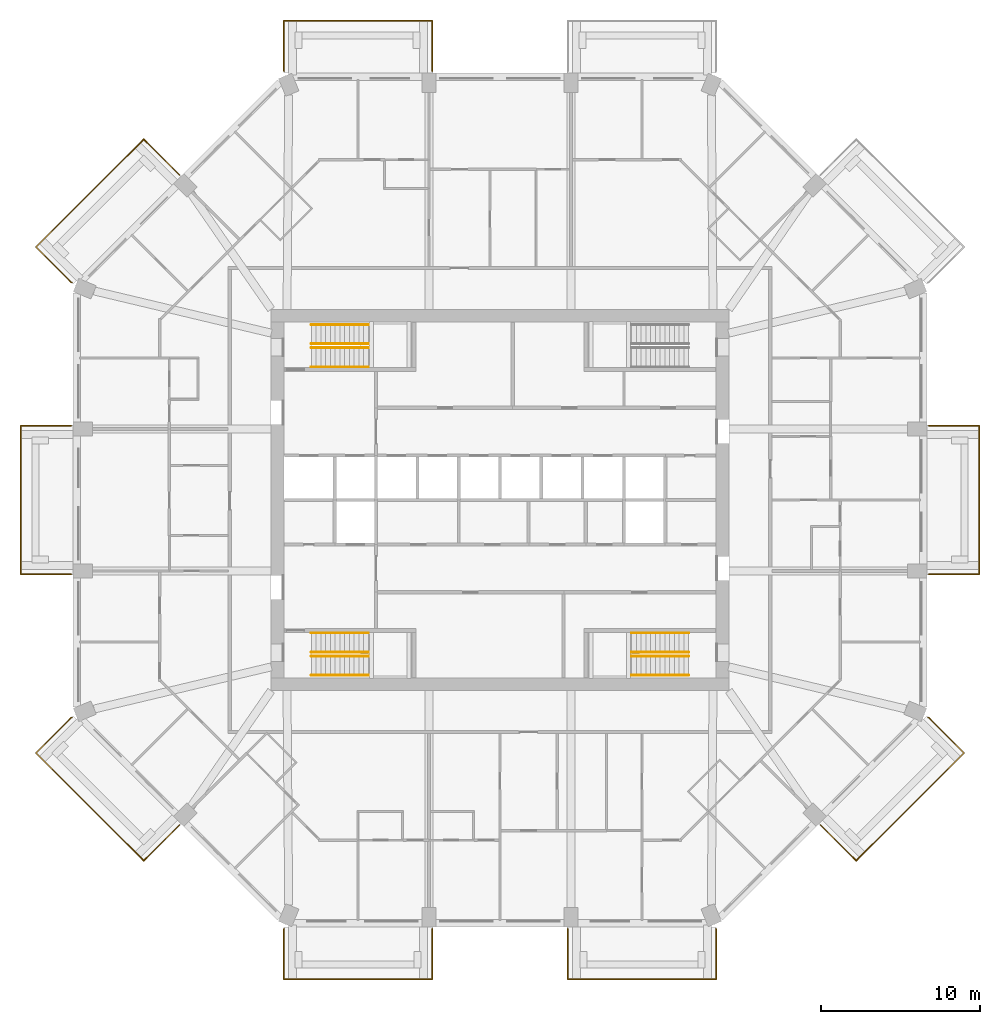
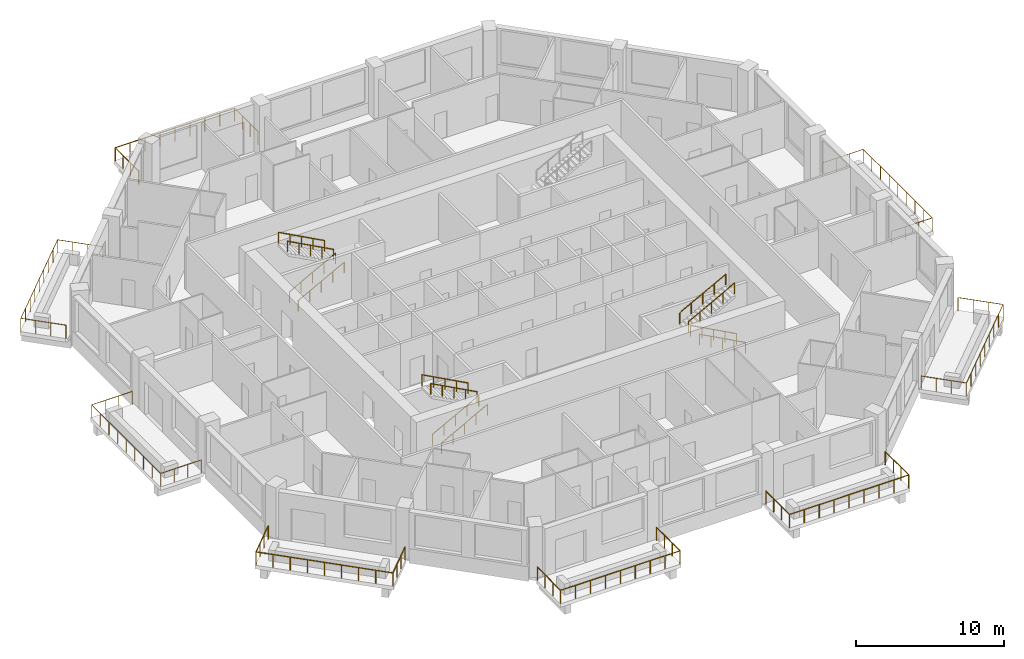
# One storey, part 12 of 13: 20 railings.
"""IFC4 building model written with IfcOpenShell, lengths in metres."""

from ifc_helpers import new_model, si_unit, direction, frame, origin, origin_2d, place, context, subcontext, project, spatial, circle, extrude, material, constituent, constituent_set, type_object, element, save


model = new_model("IFC4")

# Units and contexts
model_context = context("Model", 3, precision=1e-05, world=origin(), true_north=direction((0.0, 1.0)))
body_context = subcontext(model_context, "Body", "Model", "MODEL_VIEW")
ifc_project = project(units=[si_unit("LENGTHUNIT", "METRE"), si_unit("AREAUNIT", "SQUARE_METRE"), si_unit("VOLUMEUNIT", "CUBIC_METRE"), si_unit("PLANEANGLEUNIT", "RADIAN"), si_unit("MASSUNIT", "GRAM", prefix="KILO")], contexts=[model_context])

# Site, building, storey
site_placement = place(None, origin())
site = spatial("IfcSite", under=ifc_project, at=site_placement, CompositionType="ELEMENT")
building_placement = place(site_placement, origin())
building = spatial("IfcBuilding", under=site, at=building_placement, Name="Msitu Wima Residences", CompositionType="ELEMENT")
storey_placement = place(building_placement, frame((0.0, 0.0, 148.5)))
storey = spatial("IfcBuildingStorey", under=building, at=storey_placement, Name="L34", CompositionType="ELEMENT", Elevation=148.5)

# Railings
ifc_material_1 = material(Name="Steel S355", Category="steel")
ifc_constituent_1 = constituent(ifc_material_1, Name="Steel S355")
ifc_material_2 = material(Name="Weathering patina")
ifc_constituent_2 = constituent(ifc_material_2, Name="Weathering patina")
ifc_constituent_set_1 = constituent_set(constituents=[ifc_constituent_1, ifc_constituent_2], Name="Steel S355")
railing_type_1 = type_object("IfcRailingType", Name="Balcony guard GR1100", PredefinedType="GUARDRAIL", material=ifc_constituent_set_1)
railing_1_placement = place(storey_placement, frame((26.97998046875, 4.668701171875, 0.0)))
element("IfcRailing", 1, at=railing_1_placement, inside=storey, type_object=railing_type_1, Name="Balcony guard E1 L34", PredefinedType="GUARDRAIL", context=body_context, shape_type="SweptSolid", body=[
    extrude(circle(Radius=0.02392578125, at=origin_2d()), frame((0.0, 0.0, 1.076171875), z_axis=(1.0, 0.0, 0.0), x_axis=(0.0, 1.0, 0.0)), (0.0, 0.0, 1.0), 3.169921875),
    extrude(circle(Radius=0.02392578125, at=origin_2d()), frame((3.169921875, 0.0, 1.076171875), z_axis=(0.0, -1.0, 0.0), x_axis=(1.0, 0.0, 0.0)), (0.0, 0.0, 1.0), 9.33740234375),
    extrude(circle(Radius=0.02392578125, at=origin_2d()), frame((3.169921875, -9.33740234375, 1.076171875), z_axis=(-1.0, 0.0, 0.0), x_axis=(0.0, -1.0, 0.0)), (0.0, 0.0, 1.0), 3.169921875),
    extrude(circle(Radius=0.02099609375, at=origin_2d()), origin(), (0.0, 0.0, 1.0), 1.052001953125),
    extrude(circle(Radius=0.02099609375, at=origin_2d()), frame((1.056640625, 0.0, 0.0)), (0.0, 0.0, 1.0), 1.052001953125),
    extrude(circle(Radius=0.02099609375, at=origin_2d()), frame((2.11328125, 0.0, 0.0)), (0.0, 0.0, 1.0), 1.052001953125),
    extrude(circle(Radius=0.02099609375, at=origin_2d()), frame((3.169921875, 0.0, 0.0)), (0.0, 0.0, 1.0), 1.052001953125),
    extrude(circle(Radius=0.02099609375, at=origin_2d()), frame((3.169921875, -1.167236328125, 0.0)), (0.0, 0.0, 1.0), 1.052001953125),
    extrude(circle(Radius=0.02099609375, at=origin_2d()), frame((3.169921875, -2.33447265625, 0.0)), (0.0, 0.0, 1.0), 1.052001953125),
    extrude(circle(Radius=0.02099609375, at=origin_2d()), frame((3.169921875, -3.50146484375, 0.0)), (0.0, 0.0, 1.0), 1.052001953125),
    extrude(circle(Radius=0.02099609375, at=origin_2d()), frame((3.169921875, -4.668701171875, 0.0)), (0.0, 0.0, 1.0), 1.052001953125),
    extrude(circle(Radius=0.02099609375, at=origin_2d()), frame((3.169921875, -5.8359375, 0.0)), (0.0, 0.0, 1.0), 1.052001953125),
    extrude(circle(Radius=0.02099609375, at=origin_2d()), frame((3.169921875, -7.0029296875, 0.0)), (0.0, 0.0, 1.0), 1.052001953125),
    extrude(circle(Radius=0.02099609375, at=origin_2d()), frame((3.169921875, -8.170166015625, 0.0)), (0.0, 0.0, 1.0), 1.052001953125),
    extrude(circle(Radius=0.02099609375, at=origin_2d()), frame((3.169921875, -9.33740234375, 0.0)), (0.0, 0.0, 1.0), 1.052001953125),
    extrude(circle(Radius=0.02099609375, at=origin_2d()), frame((2.11328125, -9.33740234375, 0.0)), (0.0, 0.0, 1.0), 1.052001953125),
    extrude(circle(Radius=0.02099609375, at=origin_2d()), frame((1.056640625, -9.33740234375, 0.0)), (0.0, 0.0, 1.0), 1.052001953125),
    extrude(circle(Radius=0.02099609375, at=origin_2d()), frame((0.0, -9.33740234375, 0.0)), (0.0, 0.0, 1.0), 1.052001953125),
])
railing_2_placement = place(storey_placement, frame((-13.592041015625, 26.97998046875, 0.0)))
element("IfcRailing", 2, at=railing_2_placement, inside=storey, type_object=railing_type_1, Name="Balcony guard N2 L34", PredefinedType="GUARDRAIL", context=body_context, shape_type="SweptSolid", body=[
    extrude(circle(Radius=0.02392578125, at=origin_2d()), frame((0.0, 0.0, 1.076171875), z_axis=(-0.384136806859, 0.923276184907, 0.0), x_axis=(-0.923276184907, -0.384136806859, 0.0)), (0.0, 0.0, 1.0), 0.0361328125),
    extrude(circle(Radius=0.02392578125, at=origin_2d()), frame((-0.013916015625, 0.033447265625, 1.076171875), z_axis=(0.0, 1.0, 0.0), x_axis=(-1.0, 0.0, 0.0)), (0.0, 0.0, 1.0), 3.136474609375),
    extrude(circle(Radius=0.02392578125, at=origin_2d()), frame((-0.013916015625, 3.169921875, 1.076171875), z_axis=(1.0, 0.0, 0.0), x_axis=(0.0, 1.0, 0.0)), (0.0, 0.0, 1.0), 9.33740234375),
    extrude(circle(Radius=0.02392578125, at=origin_2d()), frame((9.323486328125, 3.169921875, 1.076171875), z_axis=(0.0, -1.0, 0.0), x_axis=(1.0, 0.0, 0.0)), (0.0, 0.0, 1.0), 3.169921875),
    extrude(circle(Radius=0.02099609375, at=origin_2d()), origin(), (0.0, 0.0, 1.0), 1.052001953125),
    extrude(circle(Radius=0.02099609375, at=origin_2d()), frame((-0.013916015625, 0.033447265625, 0.0)), (0.0, 0.0, 1.0), 1.052001953125),
    extrude(circle(Radius=0.02099609375, at=origin_2d()), frame((-0.013916015625, 1.078857421875, 0.0)), (0.0, 0.0, 1.0), 1.052001953125),
    extrude(circle(Radius=0.02099609375, at=origin_2d()), frame((-0.013916015625, 2.12451171875, 0.0)), (0.0, 0.0, 1.0), 1.052001953125),
    extrude(circle(Radius=0.02099609375, at=origin_2d()), frame((-0.013916015625, 3.169921875, 0.0)), (0.0, 0.0, 1.0), 1.052001953125),
    extrude(circle(Radius=0.02099609375, at=origin_2d()), frame((1.1533203125, 3.169921875, 0.0)), (0.0, 0.0, 1.0), 1.052001953125),
    extrude(circle(Radius=0.02099609375, at=origin_2d()), frame((2.3203125, 3.169921875, 0.0)), (0.0, 0.0, 1.0), 1.052001953125),
    extrude(circle(Radius=0.02099609375, at=origin_2d()), frame((3.487548828125, 3.169921875, 0.0)), (0.0, 0.0, 1.0), 1.052001953125),
    extrude(circle(Radius=0.02099609375, at=origin_2d()), frame((4.65478515625, 3.169921875, 0.0)), (0.0, 0.0, 1.0), 1.052001953125),
    extrude(circle(Radius=0.02099609375, at=origin_2d()), frame((5.822021484375, 3.169921875, 0.0)), (0.0, 0.0, 1.0), 1.052001953125),
    extrude(circle(Radius=0.02099609375, at=origin_2d()), frame((6.9892578125, 3.169921875, 0.0)), (0.0, 0.0, 1.0), 1.052001953125),
    extrude(circle(Radius=0.02099609375, at=origin_2d()), frame((8.15625, 3.169921875, 0.0)), (0.0, 0.0, 1.0), 1.052001953125),
    extrude(circle(Radius=0.02099609375, at=origin_2d()), frame((9.323486328125, 3.169921875, 0.0)), (0.0, 0.0, 1.0), 1.052001953125),
    extrude(circle(Radius=0.02099609375, at=origin_2d()), frame((9.323486328125, 2.11328125, 0.0)), (0.0, 0.0, 1.0), 1.052001953125),
    extrude(circle(Radius=0.02099609375, at=origin_2d()), frame((9.323486328125, 1.056640625, 0.0)), (0.0, 0.0, 1.0), 1.052001953125),
    extrude(circle(Radius=0.02099609375, at=origin_2d()), frame((9.323486328125, 0.0, 0.0)), (0.0, 0.0, 1.0), 1.052001953125),
])
railing_3_placement = place(storey_placement, frame((-26.941650390625, 13.684326171875, 0.0)))
element("IfcRailing", 3, at=railing_3_placement, inside=storey, type_object=railing_type_1, Name="Balcony guard NW1 L34", PredefinedType="GUARDRAIL", context=body_context, shape_type="SweptSolid", body=[
    extrude(circle(Radius=0.02392578125, at=origin_2d()), frame((0.0, 0.0, 1.076171875), z_axis=(-0.92426142649, 0.38176015442, 0.0), x_axis=(-0.38176015442, -0.92426142649, 0.0)), (0.0, 0.0, 1.0), 0.036376953125),
    extrude(circle(Radius=0.02392578125, at=origin_2d()), frame((-0.03369140625, 0.013916015625, 1.076171875), z_axis=(-0.707106781187, 0.707106781187, 0.0), x_axis=(-0.707106781187, -0.707106781187, 0.0)), (0.0, 0.0, 1.0), 3.136474609375),
    extrude(circle(Radius=0.02392578125, at=origin_2d()), frame((-2.25146484375, 2.231689453125, 1.076171875), z_axis=(0.707106781187, 0.707106781187, 0.0), x_axis=(-0.707106781187, 0.707106781187, 0.0)), (0.0, 0.0, 1.0), 9.58837890625),
    extrude(circle(Radius=0.02392578125, at=origin_2d()), frame((4.528564453125, 9.01171875, 1.076171875), z_axis=(0.707106781187, -0.707106781187, 0.0), x_axis=(0.707106781187, 0.707106781187, 0.0)), (0.0, 0.0, 1.0), 3.169921875),
    extrude(circle(Radius=0.02099609375, at=origin_2d()), origin(), (0.0, 0.0, 1.0), 1.052001953125),
    extrude(circle(Radius=0.02099609375, at=origin_2d()), frame((-0.03369140625, 0.013916015625, 0.0)), (0.0, 0.0, 1.0), 1.052001953125),
    extrude(circle(Radius=0.02099609375, at=origin_2d()), frame((-0.77294921875, 0.753173828125, 0.0)), (0.0, 0.0, 1.0), 1.052001953125),
    extrude(circle(Radius=0.02099609375, at=origin_2d()), frame((-1.51220703125, 1.492431640625, 0.0)), (0.0, 0.0, 1.0), 1.052001953125),
    extrude(circle(Radius=0.02099609375, at=origin_2d()), frame((-2.25146484375, 2.231689453125, 0.0)), (0.0, 0.0, 1.0), 1.052001953125),
    extrude(circle(Radius=0.02099609375, at=origin_2d()), frame((-1.404052734375, 3.0791015625, 0.0)), (0.0, 0.0, 1.0), 1.052001953125),
    extrude(circle(Radius=0.02099609375, at=origin_2d()), frame((-0.556396484375, 3.9267578125, 0.0)), (0.0, 0.0, 1.0), 1.052001953125),
    extrude(circle(Radius=0.02099609375, at=origin_2d()), frame((0.291015625, 4.774169921875, 0.0)), (0.0, 0.0, 1.0), 1.052001953125),
    extrude(circle(Radius=0.02099609375, at=origin_2d()), frame((1.138671875, 5.62158203125, 0.0)), (0.0, 0.0, 1.0), 1.052001953125),
    extrude(circle(Radius=0.02099609375, at=origin_2d()), frame((1.986083984375, 6.46923828125, 0.0)), (0.0, 0.0, 1.0), 1.052001953125),
    extrude(circle(Radius=0.02099609375, at=origin_2d()), frame((2.83349609375, 7.316650390625, 0.0)), (0.0, 0.0, 1.0), 1.052001953125),
    extrude(circle(Radius=0.02099609375, at=origin_2d()), frame((3.68115234375, 8.164306640625, 0.0)), (0.0, 0.0, 1.0), 1.052001953125),
    extrude(circle(Radius=0.02099609375, at=origin_2d()), frame((4.528564453125, 9.01171875, 0.0)), (0.0, 0.0, 1.0), 1.052001953125),
    extrude(circle(Radius=0.02099609375, at=origin_2d()), frame((5.275634765625, 8.2646484375, 0.0)), (0.0, 0.0, 1.0), 1.052001953125),
    extrude(circle(Radius=0.02099609375, at=origin_2d()), frame((6.02294921875, 7.517333984375, 0.0)), (0.0, 0.0, 1.0), 1.052001953125),
    extrude(circle(Radius=0.02099609375, at=origin_2d()), frame((6.77001953125, 6.770263671875, 0.0)), (0.0, 0.0, 1.0), 1.052001953125),
])
railing_4_placement = place(storey_placement, frame((-26.97998046875, -4.668701171875, 0.0)))
element("IfcRailing", 4, at=railing_4_placement, inside=storey, type_object=railing_type_1, Name="Balcony guard W1 L34", PredefinedType="GUARDRAIL", context=body_context, shape_type="SweptSolid", body=[
    extrude(circle(Radius=0.02392578125, at=origin_2d()), frame((0.0, 0.0, 1.076171875), z_axis=(-1.0, 0.0, 0.0), x_axis=(0.0, -1.0, 0.0)), (0.0, 0.0, 1.0), 3.169921875),
    extrude(circle(Radius=0.02392578125, at=origin_2d()), frame((-3.169921875, 0.0, 1.076171875), z_axis=(0.0, 1.0, 0.0), x_axis=(-1.0, 0.0, 0.0)), (0.0, 0.0, 1.0), 9.33740234375),
    extrude(circle(Radius=0.02392578125, at=origin_2d()), frame((-3.169921875, 9.33740234375, 1.076171875), z_axis=(1.0, 0.0, 0.0), x_axis=(0.0, 1.0, 0.0)), (0.0, 0.0, 1.0), 3.169921875),
    extrude(circle(Radius=0.02099609375, at=origin_2d()), origin(), (0.0, 0.0, 1.0), 1.052001953125),
    extrude(circle(Radius=0.02099609375, at=origin_2d()), frame((-1.056640625, 0.0, 0.0)), (0.0, 0.0, 1.0), 1.052001953125),
    extrude(circle(Radius=0.02099609375, at=origin_2d()), frame((-2.11328125, 0.0, 0.0)), (0.0, 0.0, 1.0), 1.052001953125),
    extrude(circle(Radius=0.02099609375, at=origin_2d()), frame((-3.169921875, 0.0, 0.0)), (0.0, 0.0, 1.0), 1.052001953125),
    extrude(circle(Radius=0.02099609375, at=origin_2d()), frame((-3.169921875, 1.167236328125, 0.0)), (0.0, 0.0, 1.0), 1.052001953125),
    extrude(circle(Radius=0.02099609375, at=origin_2d()), frame((-3.169921875, 2.33447265625, 0.0)), (0.0, 0.0, 1.0), 1.052001953125),
    extrude(circle(Radius=0.02099609375, at=origin_2d()), frame((-3.169921875, 3.50146484375, 0.0)), (0.0, 0.0, 1.0), 1.052001953125),
    extrude(circle(Radius=0.02099609375, at=origin_2d()), frame((-3.169921875, 4.668701171875, 0.0)), (0.0, 0.0, 1.0), 1.052001953125),
    extrude(circle(Radius=0.02099609375, at=origin_2d()), frame((-3.169921875, 5.8359375, 0.0)), (0.0, 0.0, 1.0), 1.052001953125),
    extrude(circle(Radius=0.02099609375, at=origin_2d()), frame((-3.169921875, 7.0029296875, 0.0)), (0.0, 0.0, 1.0), 1.052001953125),
    extrude(circle(Radius=0.02099609375, at=origin_2d()), frame((-3.169921875, 8.170166015625, 0.0)), (0.0, 0.0, 1.0), 1.052001953125),
    extrude(circle(Radius=0.02099609375, at=origin_2d()), frame((-3.169921875, 9.33740234375, 0.0)), (0.0, 0.0, 1.0), 1.052001953125),
    extrude(circle(Radius=0.02099609375, at=origin_2d()), frame((-2.11328125, 9.33740234375, 0.0)), (0.0, 0.0, 1.0), 1.052001953125),
    extrude(circle(Radius=0.02099609375, at=origin_2d()), frame((-1.056640625, 9.33740234375, 0.0)), (0.0, 0.0, 1.0), 1.052001953125),
    extrude(circle(Radius=0.02099609375, at=origin_2d()), frame((0.0, 9.33740234375, 0.0)), (0.0, 0.0, 1.0), 1.052001953125),
])
railing_5_placement = place(storey_placement, frame((-20.171630859375, -20.45458984375, 0.0)))
element("IfcRailing", 5, at=railing_5_placement, inside=storey, type_object=railing_type_1, Name="Balcony guard SW0 L34", PredefinedType="GUARDRAIL", context=body_context, shape_type="SweptSolid", body=[
    extrude(circle(Radius=0.02392578125, at=origin_2d()), frame((0.0, 0.0, 1.076171875), z_axis=(-0.707106781187, -0.707106781187, 0.0), x_axis=(0.707106781187, -0.707106781187, 0.0)), (0.0, 0.0, 1.0), 3.169921875),
    extrude(circle(Radius=0.02392578125, at=origin_2d()), frame((-2.241455078125, -2.241455078125, 1.076171875), z_axis=(-0.707106781187, 0.707106781187, 0.0), x_axis=(-0.707106781187, -0.707106781187, 0.0)), (0.0, 0.0, 1.0), 9.58837890625),
    extrude(circle(Radius=0.02392578125, at=origin_2d()), frame((-9.021484375, 4.53857421875, 1.076171875), z_axis=(0.707106781187, 0.707106781187, 0.0), x_axis=(-0.707106781187, 0.707106781187, 0.0)), (0.0, 0.0, 1.0), 3.136474609375),
    extrude(circle(Radius=0.02392578125, at=origin_2d()), frame((-6.8037109375, 6.75634765625, 1.076171875), z_axis=(0.92426142649, 0.38176015442, 0.0), x_axis=(-0.38176015442, 0.92426142649, 0.0)), (0.0, 0.0, 1.0), 0.036376953125),
    extrude(circle(Radius=0.02099609375, at=origin_2d()), origin(), (0.0, 0.0, 1.0), 1.052001953125),
    extrude(circle(Radius=0.02099609375, at=origin_2d()), frame((-0.7470703125, -0.7470703125, 0.0)), (0.0, 0.0, 1.0), 1.052001953125),
    extrude(circle(Radius=0.02099609375, at=origin_2d()), frame((-1.494384765625, -1.494384765625, 0.0)), (0.0, 0.0, 1.0), 1.052001953125),
    extrude(circle(Radius=0.02099609375, at=origin_2d()), frame((-2.241455078125, -2.241455078125, 0.0)), (0.0, 0.0, 1.0), 1.052001953125),
    extrude(circle(Radius=0.02099609375, at=origin_2d()), frame((-3.0888671875, -1.39404296875, 0.0)), (0.0, 0.0, 1.0), 1.052001953125),
    extrude(circle(Radius=0.02099609375, at=origin_2d()), frame((-3.9365234375, -0.54638671875, 0.0)), (0.0, 0.0, 1.0), 1.052001953125),
    extrude(circle(Radius=0.02099609375, at=origin_2d()), frame((-4.783935546875, 0.301025390625, 0.0)), (0.0, 0.0, 1.0), 1.052001953125),
    extrude(circle(Radius=0.02099609375, at=origin_2d()), frame((-5.63134765625, 1.1484375, 0.0)), (0.0, 0.0, 1.0), 1.052001953125),
    extrude(circle(Radius=0.02099609375, at=origin_2d()), frame((-6.47900390625, 1.99609375, 0.0)), (0.0, 0.0, 1.0), 1.052001953125),
    extrude(circle(Radius=0.02099609375, at=origin_2d()), frame((-7.326416015625, 2.843505859375, 0.0)), (0.0, 0.0, 1.0), 1.052001953125),
    extrude(circle(Radius=0.02099609375, at=origin_2d()), frame((-8.174072265625, 3.691162109375, 0.0)), (0.0, 0.0, 1.0), 1.052001953125),
    extrude(circle(Radius=0.02099609375, at=origin_2d()), frame((-9.021484375, 4.53857421875, 0.0)), (0.0, 0.0, 1.0), 1.052001953125),
    extrude(circle(Radius=0.02099609375, at=origin_2d()), frame((-8.2822265625, 5.27783203125, 0.0)), (0.0, 0.0, 1.0), 1.052001953125),
    extrude(circle(Radius=0.02099609375, at=origin_2d()), frame((-7.54296875, 6.01708984375, 0.0)), (0.0, 0.0, 1.0), 1.052001953125),
    extrude(circle(Radius=0.02099609375, at=origin_2d()), frame((-6.8037109375, 6.75634765625, 0.0)), (0.0, 0.0, 1.0), 1.052001953125),
    extrude(circle(Radius=0.02099609375, at=origin_2d()), frame((-6.77001953125, 6.770263671875, 0.0)), (0.0, 0.0, 1.0), 1.052001953125),
])
railing_6_placement = place(storey_placement, frame((-4.2685546875, -26.97998046875, 0.0)))
element("IfcRailing", 6, at=railing_6_placement, inside=storey, type_object=railing_type_1, Name="Balcony guard S0 L34", PredefinedType="GUARDRAIL", context=body_context, shape_type="SweptSolid", body=[
    extrude(circle(Radius=0.02392578125, at=origin_2d()), frame((0.0, 0.0, 1.076171875), z_axis=(0.0, -1.0, 0.0), x_axis=(1.0, 0.0, 0.0)), (0.0, 0.0, 1.0), 3.169921875),
    extrude(circle(Radius=0.02392578125, at=origin_2d()), frame((0.0, -3.169921875, 1.076171875), z_axis=(-1.0, 0.0, 0.0), x_axis=(0.0, -1.0, 0.0)), (0.0, 0.0, 1.0), 9.33740234375),
    extrude(circle(Radius=0.02392578125, at=origin_2d()), frame((-9.33740234375, -3.169921875, 1.076171875), z_axis=(0.0, 1.0, 0.0), x_axis=(-1.0, 0.0, 0.0)), (0.0, 0.0, 1.0), 3.136474609375),
    extrude(circle(Radius=0.02392578125, at=origin_2d()), frame((-9.33740234375, -0.033447265625, 1.076171875), z_axis=(0.384136806859, 0.923276184907, 0.0), x_axis=(-0.923276184907, 0.384136806859, 0.0)), (0.0, 0.0, 1.0), 0.0361328125),
    extrude(circle(Radius=0.02099609375, at=origin_2d()), origin(), (0.0, 0.0, 1.0), 1.052001953125),
    extrude(circle(Radius=0.02099609375, at=origin_2d()), frame((0.0, -1.056640625, 0.0)), (0.0, 0.0, 1.0), 1.052001953125),
    extrude(circle(Radius=0.02099609375, at=origin_2d()), frame((0.0, -2.11328125, 0.0)), (0.0, 0.0, 1.0), 1.052001953125),
    extrude(circle(Radius=0.02099609375, at=origin_2d()), frame((0.0, -3.169921875, 0.0)), (0.0, 0.0, 1.0), 1.052001953125),
    extrude(circle(Radius=0.02099609375, at=origin_2d()), frame((-1.167236328125, -3.169921875, 0.0)), (0.0, 0.0, 1.0), 1.052001953125),
    extrude(circle(Radius=0.02099609375, at=origin_2d()), frame((-2.33447265625, -3.169921875, 0.0)), (0.0, 0.0, 1.0), 1.052001953125),
    extrude(circle(Radius=0.02099609375, at=origin_2d()), frame((-3.50146484375, -3.169921875, 0.0)), (0.0, 0.0, 1.0), 1.052001953125),
    extrude(circle(Radius=0.02099609375, at=origin_2d()), frame((-4.668701171875, -3.169921875, 0.0)), (0.0, 0.0, 1.0), 1.052001953125),
    extrude(circle(Radius=0.02099609375, at=origin_2d()), frame((-5.8359375, -3.169921875, 0.0)), (0.0, 0.0, 1.0), 1.052001953125),
    extrude(circle(Radius=0.02099609375, at=origin_2d()), frame((-7.0029296875, -3.169921875, 0.0)), (0.0, 0.0, 1.0), 1.052001953125),
    extrude(circle(Radius=0.02099609375, at=origin_2d()), frame((-8.170166015625, -3.169921875, 0.0)), (0.0, 0.0, 1.0), 1.052001953125),
    extrude(circle(Radius=0.02099609375, at=origin_2d()), frame((-9.33740234375, -3.169921875, 0.0)), (0.0, 0.0, 1.0), 1.052001953125),
    extrude(circle(Radius=0.02099609375, at=origin_2d()), frame((-9.33740234375, -2.12451171875, 0.0)), (0.0, 0.0, 1.0), 1.052001953125),
    extrude(circle(Radius=0.02099609375, at=origin_2d()), frame((-9.33740234375, -1.078857421875, 0.0)), (0.0, 0.0, 1.0), 1.052001953125),
    extrude(circle(Radius=0.02099609375, at=origin_2d()), frame((-9.33740234375, -0.033447265625, 0.0)), (0.0, 0.0, 1.0), 1.052001953125),
    extrude(circle(Radius=0.02099609375, at=origin_2d()), frame((-9.323486328125, 0.0, 0.0)), (0.0, 0.0, 1.0), 1.052001953125),
])
railing_7_placement = place(storey_placement, frame((13.592041015625, -26.97998046875, 0.0)))
element("IfcRailing", 7, at=railing_7_placement, inside=storey, type_object=railing_type_1, Name="Balcony guard S2 L34", PredefinedType="GUARDRAIL", context=body_context, shape_type="SweptSolid", body=[
    extrude(circle(Radius=0.02392578125, at=origin_2d()), frame((0.0, 0.0, 1.076171875), z_axis=(0.384136806859, -0.923276184907, 0.0), x_axis=(0.923276184907, 0.384136806859, 0.0)), (0.0, 0.0, 1.0), 0.0361328125),
    extrude(circle(Radius=0.02392578125, at=origin_2d()), frame((0.013916015625, -0.033447265625, 1.076171875), z_axis=(0.0, -1.0, 0.0), x_axis=(1.0, 0.0, 0.0)), (0.0, 0.0, 1.0), 3.136474609375),
    extrude(circle(Radius=0.02392578125, at=origin_2d()), frame((0.013916015625, -3.169921875, 1.076171875), z_axis=(-1.0, 0.0, 0.0), x_axis=(0.0, -1.0, 0.0)), (0.0, 0.0, 1.0), 9.33740234375),
    extrude(circle(Radius=0.02392578125, at=origin_2d()), frame((-9.323486328125, -3.169921875, 1.076171875), z_axis=(0.0, 1.0, 0.0), x_axis=(-1.0, 0.0, 0.0)), (0.0, 0.0, 1.0), 3.169921875),
    extrude(circle(Radius=0.02099609375, at=origin_2d()), origin(), (0.0, 0.0, 1.0), 1.052001953125),
    extrude(circle(Radius=0.02099609375, at=origin_2d()), frame((0.013916015625, -0.033447265625, 0.0)), (0.0, 0.0, 1.0), 1.052001953125),
    extrude(circle(Radius=0.02099609375, at=origin_2d()), frame((0.013916015625, -1.078857421875, 0.0)), (0.0, 0.0, 1.0), 1.052001953125),
    extrude(circle(Radius=0.02099609375, at=origin_2d()), frame((0.013916015625, -2.12451171875, 0.0)), (0.0, 0.0, 1.0), 1.052001953125),
    extrude(circle(Radius=0.02099609375, at=origin_2d()), frame((0.013916015625, -3.169921875, 0.0)), (0.0, 0.0, 1.0), 1.052001953125),
    extrude(circle(Radius=0.02099609375, at=origin_2d()), frame((-1.1533203125, -3.169921875, 0.0)), (0.0, 0.0, 1.0), 1.052001953125),
    extrude(circle(Radius=0.02099609375, at=origin_2d()), frame((-2.3203125, -3.169921875, 0.0)), (0.0, 0.0, 1.0), 1.052001953125),
    extrude(circle(Radius=0.02099609375, at=origin_2d()), frame((-3.487548828125, -3.169921875, 0.0)), (0.0, 0.0, 1.0), 1.052001953125),
    extrude(circle(Radius=0.02099609375, at=origin_2d()), frame((-4.65478515625, -3.169921875, 0.0)), (0.0, 0.0, 1.0), 1.052001953125),
    extrude(circle(Radius=0.02099609375, at=origin_2d()), frame((-5.822021484375, -3.169921875, 0.0)), (0.0, 0.0, 1.0), 1.052001953125),
    extrude(circle(Radius=0.02099609375, at=origin_2d()), frame((-6.9892578125, -3.169921875, 0.0)), (0.0, 0.0, 1.0), 1.052001953125),
    extrude(circle(Radius=0.02099609375, at=origin_2d()), frame((-8.15625, -3.169921875, 0.0)), (0.0, 0.0, 1.0), 1.052001953125),
    extrude(circle(Radius=0.02099609375, at=origin_2d()), frame((-9.323486328125, -3.169921875, 0.0)), (0.0, 0.0, 1.0), 1.052001953125),
    extrude(circle(Radius=0.02099609375, at=origin_2d()), frame((-9.323486328125, -2.11328125, 0.0)), (0.0, 0.0, 1.0), 1.052001953125),
    extrude(circle(Radius=0.02099609375, at=origin_2d()), frame((-9.323486328125, -1.056640625, 0.0)), (0.0, 0.0, 1.0), 1.052001953125),
    extrude(circle(Radius=0.02099609375, at=origin_2d()), frame((-9.323486328125, 0.0, 0.0)), (0.0, 0.0, 1.0), 1.052001953125),
])
railing_8_placement = place(storey_placement, frame((26.941650390625, -13.684326171875, 0.0)))
element("IfcRailing", 8, at=railing_8_placement, inside=storey, type_object=railing_type_1, Name="Balcony guard SE1 L34", PredefinedType="GUARDRAIL", context=body_context, shape_type="SweptSolid", body=[
    extrude(circle(Radius=0.02392578125, at=origin_2d()), frame((0.0, 0.0, 1.076171875), z_axis=(0.92426142649, -0.38176015442, 0.0), x_axis=(0.38176015442, 0.92426142649, 0.0)), (0.0, 0.0, 1.0), 0.036376953125),
    extrude(circle(Radius=0.02392578125, at=origin_2d()), frame((0.03369140625, -0.013916015625, 1.076171875), z_axis=(0.707106781187, -0.707106781187, 0.0), x_axis=(0.707106781187, 0.707106781187, 0.0)), (0.0, 0.0, 1.0), 3.136474609375),
    extrude(circle(Radius=0.02392578125, at=origin_2d()), frame((2.25146484375, -2.231689453125, 1.076171875), z_axis=(-0.707106781187, -0.707106781187, 0.0), x_axis=(0.707106781187, -0.707106781187, 0.0)), (0.0, 0.0, 1.0), 9.58837890625),
    extrude(circle(Radius=0.02392578125, at=origin_2d()), frame((-4.528564453125, -9.01171875, 1.076171875), z_axis=(-0.707106781187, 0.707106781187, 0.0), x_axis=(-0.707106781187, -0.707106781187, 0.0)), (0.0, 0.0, 1.0), 3.169921875),
    extrude(circle(Radius=0.02099609375, at=origin_2d()), origin(), (0.0, 0.0, 1.0), 1.052001953125),
    extrude(circle(Radius=0.02099609375, at=origin_2d()), frame((0.03369140625, -0.013916015625, 0.0)), (0.0, 0.0, 1.0), 1.052001953125),
    extrude(circle(Radius=0.02099609375, at=origin_2d()), frame((0.77294921875, -0.753173828125, 0.0)), (0.0, 0.0, 1.0), 1.052001953125),
    extrude(circle(Radius=0.02099609375, at=origin_2d()), frame((1.51220703125, -1.492431640625, 0.0)), (0.0, 0.0, 1.0), 1.052001953125),
    extrude(circle(Radius=0.02099609375, at=origin_2d()), frame((2.25146484375, -2.231689453125, 0.0)), (0.0, 0.0, 1.0), 1.052001953125),
    extrude(circle(Radius=0.02099609375, at=origin_2d()), frame((1.404052734375, -3.0791015625, 0.0)), (0.0, 0.0, 1.0), 1.052001953125),
    extrude(circle(Radius=0.02099609375, at=origin_2d()), frame((0.556396484375, -3.9267578125, 0.0)), (0.0, 0.0, 1.0), 1.052001953125),
    extrude(circle(Radius=0.02099609375, at=origin_2d()), frame((-0.291015625, -4.774169921875, 0.0)), (0.0, 0.0, 1.0), 1.052001953125),
    extrude(circle(Radius=0.02099609375, at=origin_2d()), frame((-1.138671875, -5.62158203125, 0.0)), (0.0, 0.0, 1.0), 1.052001953125),
    extrude(circle(Radius=0.02099609375, at=origin_2d()), frame((-1.986083984375, -6.46923828125, 0.0)), (0.0, 0.0, 1.0), 1.052001953125),
    extrude(circle(Radius=0.02099609375, at=origin_2d()), frame((-2.83349609375, -7.316650390625, 0.0)), (0.0, 0.0, 1.0), 1.052001953125),
    extrude(circle(Radius=0.02099609375, at=origin_2d()), frame((-3.68115234375, -8.164306640625, 0.0)), (0.0, 0.0, 1.0), 1.052001953125),
    extrude(circle(Radius=0.02099609375, at=origin_2d()), frame((-4.528564453125, -9.01171875, 0.0)), (0.0, 0.0, 1.0), 1.052001953125),
    extrude(circle(Radius=0.02099609375, at=origin_2d()), frame((-5.275634765625, -8.2646484375, 0.0)), (0.0, 0.0, 1.0), 1.052001953125),
    extrude(circle(Radius=0.02099609375, at=origin_2d()), frame((-6.02294921875, -7.517333984375, 0.0)), (0.0, 0.0, 1.0), 1.052001953125),
    extrude(circle(Radius=0.02099609375, at=origin_2d()), frame((-6.77001953125, -6.770263671875, 0.0)), (0.0, 0.0, 1.0), 1.052001953125),
])
ifc_constituent_3 = constituent(ifc_material_1, Name="Steel S355")
ifc_material_3 = material(Name="Black powder coating")
ifc_constituent_4 = constituent(ifc_material_3, Name="Black powder coating")
ifc_constituent_set_2 = constituent_set(constituents=[ifc_constituent_3, ifc_constituent_4], Name="Steel S355")
railing_type_2 = type_object("IfcRailingType", Name="Stair handrail HR1", PredefinedType="HANDRAIL", material=ifc_constituent_set_2)
for number, where, name in (
    (9, (-11.875, 8.375, 0.16162109375), "Stair 1 handrail"),
    (10, (-11.875, 9.574951171875, 0.16162109375), "Stair 1 handrail"),
):
    element("IfcRailing", number, at=place(storey_placement, frame(where)), inside=storey, type_object=railing_type_2, Name=name, PredefinedType="HANDRAIL", context=body_context, shape_type="SweptSolid", body=[
        extrude(circle(Radius=0.02392578125, at=origin_2d()), frame((0.0, 0.0, 0.8759765625), z_axis=(0.880474934443, 0.0, 0.474092701714), x_axis=(0.0, 1.0, 0.0)), (0.0, 0.0, 1.0), 4.0888671875),
        extrude(circle(Radius=0.02099609375, at=origin_2d()), origin(), (0.0, 0.0, 1.0), 0.851806640625),
        extrude(circle(Radius=0.02099609375, at=origin_2d()), frame((0.89990234375, 0.0, 0.484619140625)), (0.0, 0.0, 1.0), 0.851806640625),
        extrude(circle(Radius=0.02099609375, at=origin_2d()), frame((1.800048828125, 0.0, 0.96923828125)), (0.0, 0.0, 1.0), 0.851806640625),
        extrude(circle(Radius=0.02099609375, at=origin_2d()), frame((2.7001953125, 0.0, 1.453857421875)), (0.0, 0.0, 1.0), 0.851806640625),
        extrude(circle(Radius=0.02099609375, at=origin_2d()), frame((3.60009765625, 0.0, 1.9384765625)), (0.0, 0.0, 1.0), 0.851806640625),
    ])
for number, where, name in (
    (11, (-8.27490234375, 9.824951171875, 2.261474609375), "Stair 1 handrail"),
    (12, (-8.27490234375, 11.02490234375, 2.261474609375), "Stair 1 handrail"),
):
    element("IfcRailing", number, at=place(storey_placement, frame(where)), inside=storey, type_object=railing_type_2, Name=name, PredefinedType="HANDRAIL", context=body_context, shape_type="SweptSolid", body=[
        extrude(circle(Radius=0.02392578125, at=origin_2d()), frame((0.0, 0.0, 0.8759765625), z_axis=(-0.880474934443, 0.0, 0.474092701714), x_axis=(0.0, -1.0, 0.0)), (0.0, 0.0, 1.0), 4.0888671875),
        extrude(circle(Radius=0.02099609375, at=origin_2d()), origin(), (0.0, 0.0, 1.0), 0.851806640625),
        extrude(circle(Radius=0.02099609375, at=origin_2d()), frame((-0.89990234375, 0.0, 0.484619140625)), (0.0, 0.0, 1.0), 0.851806640625),
        extrude(circle(Radius=0.02099609375, at=origin_2d()), frame((-1.800048828125, 0.0, 0.96923828125)), (0.0, 0.0, 1.0), 0.851806640625),
        extrude(circle(Radius=0.02099609375, at=origin_2d()), frame((-2.7001953125, 0.0, 1.453857421875)), (0.0, 0.0, 1.0), 0.851806640625),
        extrude(circle(Radius=0.02099609375, at=origin_2d()), frame((-3.60009765625, 0.0, 1.9384765625)), (0.0, 0.0, 1.0), 0.851806640625),
    ])
for number, where, name in (
    (13, (-11.875, -11.02490234375, 0.16162109375), "Stair 2 handrail"),
    (14, (-11.875, -9.824951171875, 0.16162109375), "Stair 2 handrail"),
):
    element("IfcRailing", number, at=place(storey_placement, frame(where)), inside=storey, type_object=railing_type_2, Name=name, PredefinedType="HANDRAIL", context=body_context, shape_type="SweptSolid", body=[
        extrude(circle(Radius=0.02392578125, at=origin_2d()), frame((0.0, 0.0, 0.8759765625), z_axis=(0.880474934443, 0.0, 0.474092701714), x_axis=(0.0, 1.0, 0.0)), (0.0, 0.0, 1.0), 4.0888671875),
        extrude(circle(Radius=0.02099609375, at=origin_2d()), origin(), (0.0, 0.0, 1.0), 0.851806640625),
        extrude(circle(Radius=0.02099609375, at=origin_2d()), frame((0.89990234375, 0.0, 0.484619140625)), (0.0, 0.0, 1.0), 0.851806640625),
        extrude(circle(Radius=0.02099609375, at=origin_2d()), frame((1.800048828125, 0.0, 0.96923828125)), (0.0, 0.0, 1.0), 0.851806640625),
        extrude(circle(Radius=0.02099609375, at=origin_2d()), frame((2.7001953125, 0.0, 1.453857421875)), (0.0, 0.0, 1.0), 0.851806640625),
        extrude(circle(Radius=0.02099609375, at=origin_2d()), frame((3.60009765625, 0.0, 1.9384765625)), (0.0, 0.0, 1.0), 0.851806640625),
    ])
for number, where, name in (
    (15, (-8.27490234375, -9.574951171875, 2.261474609375), "Stair 2 handrail"),
    (16, (-8.27490234375, -8.375, 2.261474609375), "Stair 2 handrail"),
    (17, (11.875, -11.02490234375, 0.16162109375), "Stair 4 handrail"),
    (18, (11.875, -9.824951171875, 0.16162109375), "Stair 4 handrail"),
):
    element("IfcRailing", number, at=place(storey_placement, frame(where)), inside=storey, type_object=railing_type_2, Name=name, PredefinedType="HANDRAIL", context=body_context, shape_type="SweptSolid", body=[
        extrude(circle(Radius=0.02392578125, at=origin_2d()), frame((0.0, 0.0, 0.8759765625), z_axis=(-0.880474934443, 0.0, 0.474092701714), x_axis=(0.0, -1.0, 0.0)), (0.0, 0.0, 1.0), 4.0888671875),
        extrude(circle(Radius=0.02099609375, at=origin_2d()), origin(), (0.0, 0.0, 1.0), 0.851806640625),
        extrude(circle(Radius=0.02099609375, at=origin_2d()), frame((-0.89990234375, 0.0, 0.484619140625)), (0.0, 0.0, 1.0), 0.851806640625),
        extrude(circle(Radius=0.02099609375, at=origin_2d()), frame((-1.800048828125, 0.0, 0.96923828125)), (0.0, 0.0, 1.0), 0.851806640625),
        extrude(circle(Radius=0.02099609375, at=origin_2d()), frame((-2.7001953125, 0.0, 1.453857421875)), (0.0, 0.0, 1.0), 0.851806640625),
        extrude(circle(Radius=0.02099609375, at=origin_2d()), frame((-3.60009765625, 0.0, 1.9384765625)), (0.0, 0.0, 1.0), 0.851806640625),
    ])
for number, where, name in (
    (19, (8.27490234375, -9.574951171875, 2.261474609375), "Stair 4 handrail"),
    (20, (8.27490234375, -8.375, 2.261474609375), "Stair 4 handrail"),
):
    element("IfcRailing", number, at=place(storey_placement, frame(where)), inside=storey, type_object=railing_type_2, Name=name, PredefinedType="HANDRAIL", context=body_context, shape_type="SweptSolid", body=[
        extrude(circle(Radius=0.02392578125, at=origin_2d()), frame((0.0, 0.0, 0.8759765625), z_axis=(0.880474934443, 0.0, 0.474092701714), x_axis=(0.0, 1.0, 0.0)), (0.0, 0.0, 1.0), 4.0888671875),
        extrude(circle(Radius=0.02099609375, at=origin_2d()), origin(), (0.0, 0.0, 1.0), 0.851806640625),
        extrude(circle(Radius=0.02099609375, at=origin_2d()), frame((0.89990234375, 0.0, 0.484619140625)), (0.0, 0.0, 1.0), 0.851806640625),
        extrude(circle(Radius=0.02099609375, at=origin_2d()), frame((1.800048828125, 0.0, 0.96923828125)), (0.0, 0.0, 1.0), 0.851806640625),
        extrude(circle(Radius=0.02099609375, at=origin_2d()), frame((2.7001953125, 0.0, 1.453857421875)), (0.0, 0.0, 1.0), 0.851806640625),
        extrude(circle(Radius=0.02099609375, at=origin_2d()), frame((3.60009765625, 0.0, 1.9384765625)), (0.0, 0.0, 1.0), 0.851806640625),
    ])

save(model, "model.ifc")
